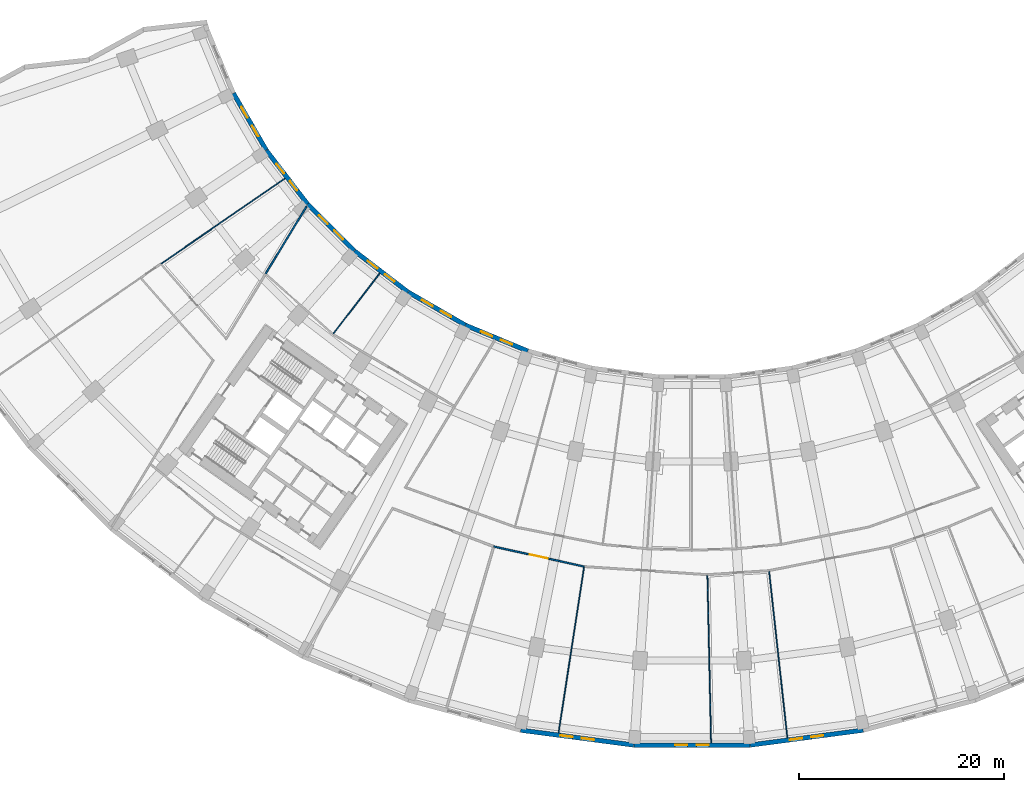
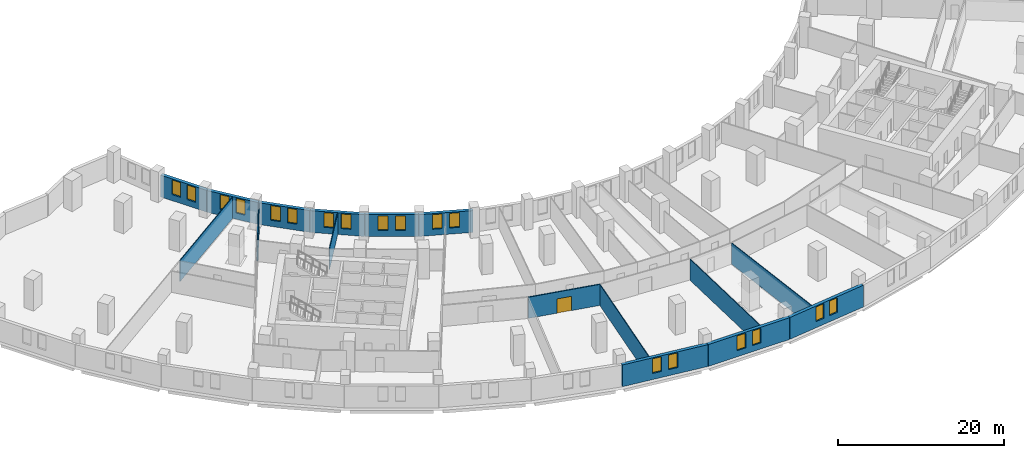
# One storey, part 8 of 19: 18 windows, 16 walls, 1 door, 19 openings.
"""IFC4 building model written with IfcOpenShell, lengths in metres."""

from ifc_helpers import new_model, si_unit, direction, frame, frame_2d, origin, place, context, subcontext, project, spatial, rectangle, extrude, material, layer, layer_set, type_object, element, fill, save


model = new_model("IFC4")

# Units and contexts
model_context = context("Model", 3, precision=1e-05, world=origin(), true_north=direction((0.0, 1.0)))
body_context = subcontext(model_context, "Body", "Model", "MODEL_VIEW")
ifc_project = project(units=[si_unit("LENGTHUNIT", "METRE"), si_unit("AREAUNIT", "SQUARE_METRE"), si_unit("VOLUMEUNIT", "CUBIC_METRE"), si_unit("PLANEANGLEUNIT", "RADIAN"), si_unit("MASSUNIT", "GRAM", prefix="KILO")], contexts=[model_context])

# Site, building, storey
site_placement = place(None, origin())
site = spatial("IfcSite", under=ifc_project, at=site_placement, CompositionType="ELEMENT")
building_placement = place(site_placement, origin())
building = spatial("IfcBuilding", under=site, at=building_placement, Name="Qamariyya Broadcast Tower", CompositionType="ELEMENT")
storey_placement = place(building_placement, frame((0.0, 0.0, 36.0)))
storey = spatial("IfcBuildingStorey", under=building, at=storey_placement, Name="L05", CompositionType="ELEMENT", Elevation=36.0)

# Wall
ifc_material_1 = material(Name="Gypsum board partition")
ifc_layer_1 = layer(ifc_material_1, 0.14990234375)
ifc_layer_set_1 = layer_set([ifc_layer_1], Name="Corridor partition 150 EI 60")
wall_type_1 = type_object("IfcWallType", Name="Corridor partition 150 EI 60", PredefinedType="PARTITIONING", material=ifc_layer_set_1)
wall_1_placement = place(storey_placement, frame((-37.6376953125, -33.18701171875, 0.0), z_axis=(0.0, 0.0, 1.0), x_axis=(-0.519163683086, -0.854674833, 0.0)))
element("IfcWall", 1, at=wall_1_placement, inside=storey, type_object=wall_type_1, Name="Partition L05-013", PredefinedType="PARTITIONING", context=body_context, shape_type="SweptSolid", body=[
    extrude(rectangle(XDim=7.724853515625, YDim=0.14990234375, at=frame_2d((3.8623046875, 0.0))), origin(), (0.0, 0.0, 1.0), 3.10009765625),
])

# Wall, opening, door
wall_2_placement = place(storey_placement, frame((-10.52880859375, -68.394287109375, 0.0), z_axis=(0.0, 0.0, 1.0), x_axis=(-0.976288493125, 0.216473504595, 0.0)))
wall_2 = element("IfcWall", 2, at=wall_2_placement, inside=storey, type_object=wall_type_1, Name="Partition L05-022", PredefinedType="PARTITIONING", context=body_context, shape_type="SweptSolid", body=[
    extrude(rectangle(XDim=9.0517578125, YDim=0.14990234375, at=frame_2d((4.52587890625, 0.0))), origin(), (0.0, 0.0, 1.0), 3.10009765625),
])
opening_1_placement = place(wall_2_placement, frame((3.6259765625, 0.0, 0.0)))
opening_1 = element("IfcOpeningElement", 3, at=opening_1_placement, cuts=wall_2, Name="Opening L05-D02", PredefinedType="OPENING", context=body_context, shape_type="SweptSolid", body=[
    extrude(rectangle(XDim=1.800048828125, YDim=2.10009765625, at=frame_2d((0.89990234375, 1.050048828125))), frame((0.0, 0.0849609375, 0.0), z_axis=(0.0, -1.0, 0.0), x_axis=(1.0, 0.0, 0.0)), (0.0, 0.0, 1.0), 0.169921875),
])
ifc_material_2 = material(Name="Timber fire door leaf", Category="wood")
door_type = type_object("IfcDoorType", Name="Double fire door 1800 x 2100 FD60", OperationType="NOTDEFINED", PredefinedType="DOOR", material=ifc_material_2)
door_placement = place(opening_1_placement, origin())
door = element("IfcDoor", 4, at=door_placement, inside=storey, type_object=door_type, Name="Door L05-D02", OperationType="DOUBLE_DOOR_SINGLE_SWING", OverallHeight=2.10009765625, OverallWidth=1.800048828125, PredefinedType="DOOR", context=body_context, shape_type="SweptSolid", body=[
    extrude(rectangle(XDim=1.800048828125, YDim=2.10009765625, at=frame_2d((0.89990234375, 1.050048828125))), frame((0.0, 0.02490234375, 0.0), z_axis=(0.0, -1.0, 0.0), x_axis=(1.0, 0.0, 0.0)), (0.0, 0.0, 1.0), 0.050048828125),
])
fill(opening_1, door)

# Walls
ifc_layer_2 = layer(ifc_material_1, 0.10009765625)
ifc_layer_set_2 = layer_set([ifc_layer_2], Name="Partition 100")
wall_type_2 = type_object("IfcWallType", Name="Partition 100", PredefinedType="PARTITIONING", material=ifc_layer_set_2)
wall_3_placement = place(storey_placement, frame((-51.8818359375, -38.82421875, 0.0), z_axis=(0.0, 0.0, 1.0), x_axis=(0.823694354942, 0.567034046276, 0.0)))
element("IfcWall", 5, at=wall_3_placement, inside=storey, type_object=wall_type_2, Name="Partition L05-005", PredefinedType="PARTITIONING", context=body_context, shape_type="SweptSolid", body=[
    extrude(rectangle(XDim=14.721923828125, YDim=0.10009765625, at=frame_2d((7.36083984375, 0.0))), origin(), (0.0, 0.0, 1.0), 3.10009765625),
])
wall_4_placement = place(storey_placement, frame((-30.494873046875, -39.741943359375, 0.0), z_axis=(0.0, 0.0, 1.0), x_axis=(-0.60877839598, -0.793340320788, 0.0)))
element("IfcWall", 6, at=wall_4_placement, inside=storey, type_object=wall_type_2, Name="Partition L05-016", PredefinedType="PARTITIONING", context=body_context, shape_type="SweptSolid", body=[
    extrude(rectangle(XDim=7.431640625, YDim=0.10009765625, at=frame_2d((3.7158203125, 0.0))), origin(), (0.0, 0.0, 1.0), 3.10009765625),
])
for number, where, z_axis, x_axis, name in (
    (7, (-13.029541015625, -84.638916015625, 0.0), (0.0, 0.0, 1.0), (0.15214688942, 0.988357892689, 0.0), "Partition L05-025"),
    (8, (1.87060546875, -85.615478515625, 0.0), (0.0, 0.0, 1.0), (-0.021846183574, 0.999761343653, 0.0), "Partition L05-035"),
    (9, (9.320556640625, -85.127197265625, 0.0), (0.0, 0.0, 1.0), (-0.1088427139, 0.99405898398, 0.0), "Partition L05-041"),
):
    element("IfcWall", number, at=place(storey_placement, frame(where, z_axis=z_axis, x_axis=x_axis)), inside=storey, type_object=wall_type_2, Name=name, PredefinedType="PARTITIONING", context=body_context, shape_type="SweptSolid", body=[
        extrude(rectangle(XDim=16.36083984375, YDim=0.10009765625, at=frame_2d((8.180419921875, 0.0))), origin(), (0.0, 0.0, 1.0), 3.10009765625),
    ])

# Wall, openings, windows
ifc_material_3 = material(Name="Precast concrete C40/50 with terracotta facing", Category="masonry")
ifc_layer_3 = layer(ifc_material_3, 0.449951171875)
ifc_layer_set_3 = layer_set([ifc_layer_3], Name="Precast concrete C40/50 wall 450, terracotta faced")
wall_type_3 = type_object("IfcWallType", Name="Precast concrete C40/50 wall 450, terracotta faced", PredefinedType="SOLIDWALL", material=ifc_layer_set_3)
wall_5_placement = place(storey_placement, frame((-41.58251953125, -27.7138671875, 0.0), z_axis=(0.0, 0.0, 1.0), x_axis=(-0.50000447882, 0.866022817921, 0.0)))
wall_5 = element("IfcWall", 10, at=wall_5_placement, inside=storey, type_object=wall_type_3, Name="e-wl-L05-in20", PredefinedType="SOLIDWALL", context=body_context, shape_type="SweptSolid", body=[
    extrude(rectangle(XDim=6.41943359375, YDim=0.449951171875, at=frame_2d((3.209716796875, 0.0))), origin(), (0.0, 0.0, 1.0), 3.199951171875),
])
opening_2_placement = place(wall_5_placement, frame((3.65966796875, 0.0, 0.89990234375)))
opening_2 = element("IfcOpeningElement", 11, at=opening_2_placement, cuts=wall_5, Name="Opening W3", PredefinedType="OPENING", context=body_context, shape_type="SweptSolid", body=[
    extrude(rectangle(XDim=1.199951171875, YDim=2.14990234375, at=frame_2d((0.60009765625, 1.074951171875))), frame((0.0, 0.23486328125, 0.0), z_axis=(0.0, -1.0, 0.0), x_axis=(1.0, 0.0, 0.0)), (0.0, 0.0, 1.0), 0.469970703125),
])
opening_3_placement = place(wall_5_placement, frame((1.5595703125, 0.0, 0.89990234375)))
opening_3 = element("IfcOpeningElement", 12, at=opening_3_placement, cuts=wall_5, Name="Opening W3", PredefinedType="OPENING", context=body_context, shape_type="SweptSolid", body=[
    extrude(rectangle(XDim=1.199951171875, YDim=2.14990234375, at=frame_2d((0.60009765625, 1.074951171875))), frame((0.0, 0.23486328125, 0.0), z_axis=(0.0, -1.0, 0.0), x_axis=(1.0, 0.0, 0.0)), (0.0, 0.0, 1.0), 0.469970703125),
])
ifc_material_4 = material(Name="Clear low-e double glazed unit in aluminium frame", Category="aluminium")
window_type = type_object("IfcWindowType", Name="Podium window 1200 x 2150", PartitioningType="SINGLE_PANEL", PredefinedType="WINDOW", material=ifc_material_4)
window_1_placement = place(opening_2_placement, origin())
window_1 = element("IfcWindow", 13, at=window_1_placement, inside=storey, type_object=window_type, Name="e-w-L05-in02a", OverallHeight=2.14990234375, OverallWidth=1.199951171875, PartitioningType="SINGLE_PANEL", PredefinedType="WINDOW", context=body_context, shape_type="SweptSolid", body=[
    extrude(rectangle(XDim=1.199951171875, YDim=2.14990234375, at=frame_2d((0.60009765625, 1.074951171875))), frame((0.0, 0.030029296875, 0.0), z_axis=(0.0, -1.0, 0.0), x_axis=(1.0, 0.0, 0.0)), (0.0, 0.0, 1.0), 0.06005859375),
])
fill(opening_2, window_1)
window_2_placement = place(opening_3_placement, origin())
window_2 = element("IfcWindow", 14, at=window_2_placement, inside=storey, type_object=window_type, Name="e-w-L05-in02b", OverallHeight=2.14990234375, OverallWidth=1.199951171875, PartitioningType="SINGLE_PANEL", PredefinedType="WINDOW", context=body_context, shape_type="SweptSolid", body=[
    extrude(rectangle(XDim=1.199951171875, YDim=2.14990234375, at=frame_2d((0.60009765625, 1.074951171875))), frame((0.0, 0.030029296875, 0.0), z_axis=(0.0, -1.0, 0.0), x_axis=(1.0, 0.0, 0.0)), (0.0, 0.0, 1.0), 0.06005859375),
])
fill(opening_3, window_2)

wall_6_placement = place(storey_placement, frame((-37.55517578125, -32.974853515625, 0.0), z_axis=(0.0, 0.0, 1.0), x_axis=(-0.608780327927, 0.793338838284, 0.0)))
wall_6 = element("IfcWall", 15, at=wall_6_placement, inside=storey, type_object=wall_type_3, Name="e-wl-L05-in30", PredefinedType="SOLIDWALL", context=body_context, shape_type="SweptSolid", body=[
    extrude(rectangle(XDim=6.596923828125, YDim=0.449951171875, at=frame_2d((3.29833984375, 0.0))), origin(), (0.0, 0.0, 1.0), 3.199951171875),
])
opening_4_placement = place(wall_6_placement, frame((3.74853515625, 0.0, 0.89990234375)))
opening_4 = element("IfcOpeningElement", 16, at=opening_4_placement, cuts=wall_6, Name="Opening W3", PredefinedType="OPENING", context=body_context, shape_type="SweptSolid", body=[
    extrude(rectangle(XDim=1.199951171875, YDim=2.14990234375, at=frame_2d((0.60009765625, 1.074951171875))), frame((0.0, 0.23486328125, 0.0), z_axis=(0.0, -1.0, 0.0), x_axis=(1.0, 0.0, 0.0)), (0.0, 0.0, 1.0), 0.469970703125),
])
opening_5_placement = place(wall_6_placement, frame((1.6484375, 0.0, 0.89990234375)))
opening_5 = element("IfcOpeningElement", 17, at=opening_5_placement, cuts=wall_6, Name="Opening W3", PredefinedType="OPENING", context=body_context, shape_type="SweptSolid", body=[
    extrude(rectangle(XDim=1.199951171875, YDim=2.14990234375, at=frame_2d((0.60009765625, 1.074951171875))), frame((0.0, 0.23486328125, 0.0), z_axis=(0.0, -1.0, 0.0), x_axis=(1.0, 0.0, 0.0)), (0.0, 0.0, 1.0), 0.469970703125),
])
window_3_placement = place(opening_4_placement, origin())
window_3 = element("IfcWindow", 18, at=window_3_placement, inside=storey, type_object=window_type, Name="e-w-L05-in03a", OverallHeight=2.14990234375, OverallWidth=1.199951171875, PartitioningType="SINGLE_PANEL", PredefinedType="WINDOW", context=body_context, shape_type="SweptSolid", body=[
    extrude(rectangle(XDim=1.199951171875, YDim=2.14990234375, at=frame_2d((0.60009765625, 1.074951171875))), frame((0.0, 0.030029296875, 0.0), z_axis=(0.0, -1.0, 0.0), x_axis=(1.0, 0.0, 0.0)), (0.0, 0.0, 1.0), 0.06005859375),
])
fill(opening_4, window_3)
window_4_placement = place(opening_5_placement, origin())
window_4 = element("IfcWindow", 19, at=window_4_placement, inside=storey, type_object=window_type, Name="e-w-L05-in03b", OverallHeight=2.14990234375, OverallWidth=1.199951171875, PartitioningType="SINGLE_PANEL", PredefinedType="WINDOW", context=body_context, shape_type="SweptSolid", body=[
    extrude(rectangle(XDim=1.199951171875, YDim=2.14990234375, at=frame_2d((0.60009765625, 1.074951171875))), frame((0.0, 0.030029296875, 0.0), z_axis=(0.0, -1.0, 0.0), x_axis=(1.0, 0.0, 0.0)), (0.0, 0.0, 1.0), 0.06005859375),
])
fill(opening_5, window_4)

wall_7_placement = place(storey_placement, frame((-32.992919921875, -37.531982421875, 0.0), z_axis=(0.0, 0.0, 1.0), x_axis=(-0.707106781187, 0.707106781187, 0.0)))
wall_7 = element("IfcWall", 20, at=wall_7_placement, inside=storey, type_object=wall_type_3, Name="e-wl-L05-in40", PredefinedType="SOLIDWALL", context=body_context, shape_type="SweptSolid", body=[
    extrude(rectangle(XDim=6.419189453125, YDim=0.449951171875, at=frame_2d((3.20947265625, 0.0))), origin(), (0.0, 0.0, 1.0), 3.199951171875),
])
opening_6_placement = place(wall_7_placement, frame((3.65966796875, 0.0, 0.89990234375)))
opening_6 = element("IfcOpeningElement", 21, at=opening_6_placement, cuts=wall_7, Name="Opening W3", PredefinedType="OPENING", context=body_context, shape_type="SweptSolid", body=[
    extrude(rectangle(XDim=1.199951171875, YDim=2.14990234375, at=frame_2d((0.60009765625, 1.074951171875))), frame((0.0, 0.23486328125, 0.0), z_axis=(0.0, -1.0, 0.0), x_axis=(1.0, 0.0, 0.0)), (0.0, 0.0, 1.0), 0.469970703125),
])
opening_7_placement = place(wall_7_placement, frame((1.5595703125, 0.0, 0.89990234375)))
opening_7 = element("IfcOpeningElement", 22, at=opening_7_placement, cuts=wall_7, Name="Opening W3", PredefinedType="OPENING", context=body_context, shape_type="SweptSolid", body=[
    extrude(rectangle(XDim=1.199951171875, YDim=2.14990234375, at=frame_2d((0.60009765625, 1.074951171875))), frame((0.0, 0.23486328125, 0.0), z_axis=(0.0, -1.0, 0.0), x_axis=(1.0, 0.0, 0.0)), (0.0, 0.0, 1.0), 0.469970703125),
])
window_5_placement = place(opening_6_placement, origin())
window_5 = element("IfcWindow", 23, at=window_5_placement, inside=storey, type_object=window_type, Name="e-w-L05-in04a", OverallHeight=2.14990234375, OverallWidth=1.199951171875, PartitioningType="SINGLE_PANEL", PredefinedType="WINDOW", context=body_context, shape_type="SweptSolid", body=[
    extrude(rectangle(XDim=1.199951171875, YDim=2.14990234375, at=frame_2d((0.60009765625, 1.074951171875))), frame((0.0, 0.030029296875, 0.0), z_axis=(0.0, -1.0, 0.0), x_axis=(1.0, 0.0, 0.0)), (0.0, 0.0, 1.0), 0.06005859375),
])
fill(opening_6, window_5)
window_6_placement = place(opening_7_placement, origin())
window_6 = element("IfcWindow", 24, at=window_6_placement, inside=storey, type_object=window_type, Name="e-w-L05-in04b", OverallHeight=2.14990234375, OverallWidth=1.199951171875, PartitioningType="SINGLE_PANEL", PredefinedType="WINDOW", context=body_context, shape_type="SweptSolid", body=[
    extrude(rectangle(XDim=1.199951171875, YDim=2.14990234375, at=frame_2d((0.60009765625, 1.074951171875))), frame((0.0, 0.030029296875, 0.0), z_axis=(0.0, -1.0, 0.0), x_axis=(1.0, 0.0, 0.0)), (0.0, 0.0, 1.0), 0.06005859375),
])
fill(opening_7, window_6)

wall_8_placement = place(storey_placement, frame((-27.7412109375, -41.5712890625, 0.0), z_axis=(0.0, 0.0, 1.0), x_axis=(-0.793338838284, 0.608780327927, 0.0)))
wall_8 = element("IfcWall", 25, at=wall_8_placement, inside=storey, type_object=wall_type_3, Name="e-wl-L05-in50", PredefinedType="SOLIDWALL", context=body_context, shape_type="SweptSolid", body=[
    extrude(rectangle(XDim=6.596923828125, YDim=0.449951171875, at=frame_2d((3.29833984375, 0.0))), origin(), (0.0, 0.0, 1.0), 3.199951171875),
])
opening_8_placement = place(wall_8_placement, frame((3.74853515625, 0.0, 0.89990234375)))
opening_8 = element("IfcOpeningElement", 26, at=opening_8_placement, cuts=wall_8, Name="Opening W3", PredefinedType="OPENING", context=body_context, shape_type="SweptSolid", body=[
    extrude(rectangle(XDim=1.199951171875, YDim=2.14990234375, at=frame_2d((0.60009765625, 1.074951171875))), frame((0.0, 0.23486328125, 0.0), z_axis=(0.0, -1.0, 0.0), x_axis=(1.0, 0.0, 0.0)), (0.0, 0.0, 1.0), 0.469970703125),
])
opening_9_placement = place(wall_8_placement, frame((1.6484375, 0.0, 0.89990234375)))
opening_9 = element("IfcOpeningElement", 27, at=opening_9_placement, cuts=wall_8, Name="Opening W3", PredefinedType="OPENING", context=body_context, shape_type="SweptSolid", body=[
    extrude(rectangle(XDim=1.199951171875, YDim=2.14990234375, at=frame_2d((0.60009765625, 1.074951171875))), frame((0.0, 0.23486328125, 0.0), z_axis=(0.0, -1.0, 0.0), x_axis=(1.0, 0.0, 0.0)), (0.0, 0.0, 1.0), 0.469970703125),
])
window_7_placement = place(opening_8_placement, origin())
window_7 = element("IfcWindow", 28, at=window_7_placement, inside=storey, type_object=window_type, Name="e-w-L05-in05a", OverallHeight=2.14990234375, OverallWidth=1.199951171875, PartitioningType="SINGLE_PANEL", PredefinedType="WINDOW", context=body_context, shape_type="SweptSolid", body=[
    extrude(rectangle(XDim=1.199951171875, YDim=2.14990234375, at=frame_2d((0.60009765625, 1.074951171875))), frame((0.0, 0.030029296875, 0.0), z_axis=(0.0, -1.0, 0.0), x_axis=(1.0, 0.0, 0.0)), (0.0, 0.0, 1.0), 0.06005859375),
])
fill(opening_8, window_7)
window_8_placement = place(opening_9_placement, origin())
window_8 = element("IfcWindow", 29, at=window_8_placement, inside=storey, type_object=window_type, Name="e-w-L05-in05b", OverallHeight=2.14990234375, OverallWidth=1.199951171875, PartitioningType="SINGLE_PANEL", PredefinedType="WINDOW", context=body_context, shape_type="SweptSolid", body=[
    extrude(rectangle(XDim=1.199951171875, YDim=2.14990234375, at=frame_2d((0.60009765625, 1.074951171875))), frame((0.0, 0.030029296875, 0.0), z_axis=(0.0, -1.0, 0.0), x_axis=(1.0, 0.0, 0.0)), (0.0, 0.0, 1.0), 0.06005859375),
])
fill(opening_9, window_8)

wall_9_placement = place(storey_placement, frame((-22.154541015625, -44.792236328125, 0.0), z_axis=(0.0, 0.0, 1.0), x_axis=(-0.866022817921, 0.50000447882, 0.0)))
wall_9 = element("IfcWall", 30, at=wall_9_placement, inside=storey, type_object=wall_type_3, Name="e-wl-L05-in60", PredefinedType="SOLIDWALL", context=body_context, shape_type="SweptSolid", body=[
    extrude(rectangle(XDim=6.41943359375, YDim=0.449951171875, at=frame_2d((3.209716796875, 0.0))), origin(), (0.0, 0.0, 1.0), 3.199951171875),
])
opening_10_placement = place(wall_9_placement, frame((3.65966796875, 0.0, 0.89990234375)))
opening_10 = element("IfcOpeningElement", 31, at=opening_10_placement, cuts=wall_9, Name="Opening W3", PredefinedType="OPENING", context=body_context, shape_type="SweptSolid", body=[
    extrude(rectangle(XDim=1.199951171875, YDim=2.14990234375, at=frame_2d((0.60009765625, 1.074951171875))), frame((0.0, 0.23486328125, 0.0), z_axis=(0.0, -1.0, 0.0), x_axis=(1.0, 0.0, 0.0)), (0.0, 0.0, 1.0), 0.469970703125),
])
opening_11_placement = place(wall_9_placement, frame((1.5595703125, 0.0, 0.89990234375)))
opening_11 = element("IfcOpeningElement", 32, at=opening_11_placement, cuts=wall_9, Name="Opening W3", PredefinedType="OPENING", context=body_context, shape_type="SweptSolid", body=[
    extrude(rectangle(XDim=1.199951171875, YDim=2.14990234375, at=frame_2d((0.60009765625, 1.074951171875))), frame((0.0, 0.23486328125, 0.0), z_axis=(0.0, -1.0, 0.0), x_axis=(1.0, 0.0, 0.0)), (0.0, 0.0, 1.0), 0.469970703125),
])
window_9_placement = place(opening_10_placement, origin())
window_9 = element("IfcWindow", 33, at=window_9_placement, inside=storey, type_object=window_type, Name="e-w-L05-in06a", OverallHeight=2.14990234375, OverallWidth=1.199951171875, PartitioningType="SINGLE_PANEL", PredefinedType="WINDOW", context=body_context, shape_type="SweptSolid", body=[
    extrude(rectangle(XDim=1.199951171875, YDim=2.14990234375, at=frame_2d((0.60009765625, 1.074951171875))), frame((0.0, 0.030029296875, 0.0), z_axis=(0.0, -1.0, 0.0), x_axis=(1.0, 0.0, 0.0)), (0.0, 0.0, 1.0), 0.06005859375),
])
fill(opening_10, window_9)
window_10_placement = place(opening_11_placement, origin())
window_10 = element("IfcWindow", 34, at=window_10_placement, inside=storey, type_object=window_type, Name="e-w-L05-in06b", OverallHeight=2.14990234375, OverallWidth=1.199951171875, PartitioningType="SINGLE_PANEL", PredefinedType="WINDOW", context=body_context, shape_type="SweptSolid", body=[
    extrude(rectangle(XDim=1.199951171875, YDim=2.14990234375, at=frame_2d((0.60009765625, 1.074951171875))), frame((0.0, 0.030029296875, 0.0), z_axis=(0.0, -1.0, 0.0), x_axis=(1.0, 0.0, 0.0)), (0.0, 0.0, 1.0), 0.06005859375),
])
fill(opening_11, window_10)

wall_10_placement = place(storey_placement, frame((-16.036376953125, -47.334716796875, 0.0), z_axis=(0.0, 0.0, 1.0), x_axis=(-0.923877459804, 0.382688436284, 0.0)))
wall_10 = element("IfcWall", 35, at=wall_10_placement, inside=storey, type_object=wall_type_3, Name="e-wl-L05-in70", PredefinedType="SOLIDWALL", context=body_context, shape_type="SweptSolid", body=[
    extrude(rectangle(XDim=6.59716796875, YDim=0.449951171875, at=frame_2d((3.298583984375, 0.0))), origin(), (0.0, 0.0, 1.0), 3.199951171875),
])
opening_12_placement = place(wall_10_placement, frame((3.74853515625, 0.0, 0.89990234375)))
opening_12 = element("IfcOpeningElement", 36, at=opening_12_placement, cuts=wall_10, Name="Opening W3", PredefinedType="OPENING", context=body_context, shape_type="SweptSolid", body=[
    extrude(rectangle(XDim=1.199951171875, YDim=2.14990234375, at=frame_2d((0.60009765625, 1.074951171875))), frame((0.0, 0.23486328125, 0.0), z_axis=(0.0, -1.0, 0.0), x_axis=(1.0, 0.0, 0.0)), (0.0, 0.0, 1.0), 0.469970703125),
])
opening_13_placement = place(wall_10_placement, frame((1.6484375, 0.0, 0.89990234375)))
opening_13 = element("IfcOpeningElement", 37, at=opening_13_placement, cuts=wall_10, Name="Opening W3", PredefinedType="OPENING", context=body_context, shape_type="SweptSolid", body=[
    extrude(rectangle(XDim=1.199951171875, YDim=2.14990234375, at=frame_2d((0.60009765625, 1.074951171875))), frame((0.0, 0.23486328125, 0.0), z_axis=(0.0, -1.0, 0.0), x_axis=(1.0, 0.0, 0.0)), (0.0, 0.0, 1.0), 0.469970703125),
])
window_11_placement = place(opening_12_placement, origin())
window_11 = element("IfcWindow", 38, at=window_11_placement, inside=storey, type_object=window_type, Name="e-w-L05-in07a", OverallHeight=2.14990234375, OverallWidth=1.199951171875, PartitioningType="SINGLE_PANEL", PredefinedType="WINDOW", context=body_context, shape_type="SweptSolid", body=[
    extrude(rectangle(XDim=1.199951171875, YDim=2.14990234375, at=frame_2d((0.60009765625, 1.074951171875))), frame((0.0, 0.030029296875, 0.0), z_axis=(0.0, -1.0, 0.0), x_axis=(1.0, 0.0, 0.0)), (0.0, 0.0, 1.0), 0.06005859375),
])
fill(opening_12, window_11)
window_12_placement = place(opening_13_placement, origin())
window_12 = element("IfcWindow", 39, at=window_12_placement, inside=storey, type_object=window_type, Name="e-w-L05-in07b", OverallHeight=2.14990234375, OverallWidth=1.199951171875, PartitioningType="SINGLE_PANEL", PredefinedType="WINDOW", context=body_context, shape_type="SweptSolid", body=[
    extrude(rectangle(XDim=1.199951171875, YDim=2.14990234375, at=frame_2d((0.60009765625, 1.074951171875))), frame((0.0, 0.030029296875, 0.0), z_axis=(0.0, -1.0, 0.0), x_axis=(1.0, 0.0, 0.0)), (0.0, 0.0, 1.0), 0.06005859375),
])
fill(opening_13, window_12)

wall_11_placement = place(storey_placement, frame((-5.65625, -85.84033203125, 0.0), z_axis=(0.0, 0.0, 1.0), x_axis=(1.0, 0.0, 0.0)))
wall_11 = element("IfcWall", 40, at=wall_11_placement, inside=storey, type_object=wall_type_3, Name="e-wl-L05-out100", PredefinedType="SOLIDWALL", context=body_context, shape_type="SweptSolid", body=[
    extrude(rectangle(XDim=11.3125, YDim=0.449951171875, at=frame_2d((5.65625, 0.0))), origin(), (0.0, 0.0, 1.0), 3.199951171875),
])
opening_14_placement = place(wall_11_placement, frame((4.00634765625, 0.0, 0.89990234375)))
opening_14 = element("IfcOpeningElement", 41, at=opening_14_placement, cuts=wall_11, Name="Opening W3", PredefinedType="OPENING", context=body_context, shape_type="SweptSolid", body=[
    extrude(rectangle(XDim=1.199951171875, YDim=2.14990234375, at=frame_2d((0.60009765625, 1.074951171875))), frame((0.0, 0.23486328125, 0.0), z_axis=(0.0, -1.0, 0.0), x_axis=(1.0, 0.0, 0.0)), (0.0, 0.0, 1.0), 0.469970703125),
])
opening_15_placement = place(wall_11_placement, frame((6.106201171875, 0.0, 0.89990234375)))
opening_15 = element("IfcOpeningElement", 42, at=opening_15_placement, cuts=wall_11, Name="Opening W3", PredefinedType="OPENING", context=body_context, shape_type="SweptSolid", body=[
    extrude(rectangle(XDim=1.199951171875, YDim=2.14990234375, at=frame_2d((0.60009765625, 1.074951171875))), frame((0.0, 0.23486328125, 0.0), z_axis=(0.0, -1.0, 0.0), x_axis=(1.0, 0.0, 0.0)), (0.0, 0.0, 1.0), 0.469970703125),
])
window_13_placement = place(opening_14_placement, origin())
window_13 = element("IfcWindow", 43, at=window_13_placement, inside=storey, type_object=window_type, Name="e-w-L05-out10a", OverallHeight=2.14990234375, OverallWidth=1.199951171875, PartitioningType="SINGLE_PANEL", PredefinedType="WINDOW", context=body_context, shape_type="SweptSolid", body=[
    extrude(rectangle(XDim=1.199951171875, YDim=2.14990234375, at=frame_2d((0.60009765625, 1.074951171875))), frame((0.0, 0.030029296875, 0.0), z_axis=(0.0, -1.0, 0.0), x_axis=(1.0, 0.0, 0.0)), (0.0, 0.0, 1.0), 0.06005859375),
])
fill(opening_14, window_13)
window_14_placement = place(opening_15_placement, origin())
window_14 = element("IfcWindow", 44, at=window_14_placement, inside=storey, type_object=window_type, Name="e-w-L05-out10b", OverallHeight=2.14990234375, OverallWidth=1.199951171875, PartitioningType="SINGLE_PANEL", PredefinedType="WINDOW", context=body_context, shape_type="SweptSolid", body=[
    extrude(rectangle(XDim=1.199951171875, YDim=2.14990234375, at=frame_2d((0.60009765625, 1.074951171875))), frame((0.0, 0.030029296875, 0.0), z_axis=(0.0, -1.0, 0.0), x_axis=(1.0, 0.0, 0.0)), (0.0, 0.0, 1.0), 0.06005859375),
])
fill(opening_15, window_14)

wall_12_placement = place(storey_placement, frame((5.684814453125, -85.83251953125, 0.0), z_axis=(0.0, 0.0, 1.0), x_axis=(0.991447502826, 0.130506126829, 0.0)))
wall_12 = element("IfcWall", 45, at=wall_12_placement, inside=storey, type_object=wall_type_3, Name="e-wl-L05-out110", PredefinedType="SOLIDWALL", context=body_context, shape_type="SweptSolid", body=[
    extrude(rectangle(XDim=11.134521484375, YDim=0.449951171875, at=frame_2d((5.5673828125, 0.0))), origin(), (0.0, 0.0, 1.0), 3.199951171875),
])
opening_16_placement = place(wall_12_placement, frame((3.917236328125, 0.0, 0.89990234375)))
opening_16 = element("IfcOpeningElement", 46, at=opening_16_placement, cuts=wall_12, Name="Opening W3", PredefinedType="OPENING", context=body_context, shape_type="SweptSolid", body=[
    extrude(rectangle(XDim=1.199951171875, YDim=2.14990234375, at=frame_2d((0.60009765625, 1.074951171875))), frame((0.0, 0.23486328125, 0.0), z_axis=(0.0, -1.0, 0.0), x_axis=(1.0, 0.0, 0.0)), (0.0, 0.0, 1.0), 0.469970703125),
])
opening_17_placement = place(wall_12_placement, frame((6.017333984375, 0.0, 0.89990234375)))
opening_17 = element("IfcOpeningElement", 47, at=opening_17_placement, cuts=wall_12, Name="Opening W3", PredefinedType="OPENING", context=body_context, shape_type="SweptSolid", body=[
    extrude(rectangle(XDim=1.199951171875, YDim=2.14990234375, at=frame_2d((0.60009765625, 1.074951171875))), frame((0.0, 0.23486328125, 0.0), z_axis=(0.0, -1.0, 0.0), x_axis=(1.0, 0.0, 0.0)), (0.0, 0.0, 1.0), 0.469970703125),
])
window_15_placement = place(opening_16_placement, origin())
window_15 = element("IfcWindow", 48, at=window_15_placement, inside=storey, type_object=window_type, Name="e-w-L05-out11a", OverallHeight=2.14990234375, OverallWidth=1.199951171875, PartitioningType="SINGLE_PANEL", PredefinedType="WINDOW", context=body_context, shape_type="SweptSolid", body=[
    extrude(rectangle(XDim=1.199951171875, YDim=2.14990234375, at=frame_2d((0.60009765625, 1.074951171875))), frame((0.0, 0.030029296875, 0.0), z_axis=(0.0, -1.0, 0.0), x_axis=(1.0, 0.0, 0.0)), (0.0, 0.0, 1.0), 0.06005859375),
])
fill(opening_16, window_15)
window_16_placement = place(opening_17_placement, origin())
window_16 = element("IfcWindow", 49, at=window_16_placement, inside=storey, type_object=window_type, Name="e-w-L05-out11b", OverallHeight=2.14990234375, OverallWidth=1.199951171875, PartitioningType="SINGLE_PANEL", PredefinedType="WINDOW", context=body_context, shape_type="SweptSolid", body=[
    extrude(rectangle(XDim=1.199951171875, YDim=2.14990234375, at=frame_2d((0.60009765625, 1.074951171875))), frame((0.0, 0.030029296875, 0.0), z_axis=(0.0, -1.0, 0.0), x_axis=(1.0, 0.0, 0.0)), (0.0, 0.0, 1.0), 0.06005859375),
])
fill(opening_17, window_16)

wall_13_placement = place(storey_placement, frame((-16.72412109375, -84.37939453125, 0.0), z_axis=(0.0, 0.0, 1.0), x_axis=(0.991447502826, -0.130506126829, 0.0)))
wall_13 = element("IfcWall", 50, at=wall_13_placement, inside=storey, type_object=wall_type_3, Name="e-wl-L05-out90", PredefinedType="SOLIDWALL", context=body_context, shape_type="SweptSolid", body=[
    extrude(rectangle(XDim=11.134521484375, YDim=0.449951171875, at=frame_2d((5.5673828125, 0.0))), origin(), (0.0, 0.0, 1.0), 3.199951171875),
])
opening_18_placement = place(wall_13_placement, frame((3.917236328125, 0.0, 0.89990234375)))
opening_18 = element("IfcOpeningElement", 51, at=opening_18_placement, cuts=wall_13, Name="Opening W3", PredefinedType="OPENING", context=body_context, shape_type="SweptSolid", body=[
    extrude(rectangle(XDim=1.199951171875, YDim=2.14990234375, at=frame_2d((0.60009765625, 1.074951171875))), frame((0.0, 0.23486328125, 0.0), z_axis=(0.0, -1.0, 0.0), x_axis=(1.0, 0.0, 0.0)), (0.0, 0.0, 1.0), 0.469970703125),
])
opening_19_placement = place(wall_13_placement, frame((6.017333984375, 0.0, 0.89990234375)))
opening_19 = element("IfcOpeningElement", 52, at=opening_19_placement, cuts=wall_13, Name="Opening W3", PredefinedType="OPENING", context=body_context, shape_type="SweptSolid", body=[
    extrude(rectangle(XDim=1.199951171875, YDim=2.14990234375, at=frame_2d((0.60009765625, 1.074951171875))), frame((0.0, 0.23486328125, 0.0), z_axis=(0.0, -1.0, 0.0), x_axis=(1.0, 0.0, 0.0)), (0.0, 0.0, 1.0), 0.469970703125),
])
window_17_placement = place(opening_18_placement, origin())
window_17 = element("IfcWindow", 53, at=window_17_placement, inside=storey, type_object=window_type, Name="e-w-L05-out09a", OverallHeight=2.14990234375, OverallWidth=1.199951171875, PartitioningType="SINGLE_PANEL", PredefinedType="WINDOW", context=body_context, shape_type="SweptSolid", body=[
    extrude(rectangle(XDim=1.199951171875, YDim=2.14990234375, at=frame_2d((0.60009765625, 1.074951171875))), frame((0.0, 0.030029296875, 0.0), z_axis=(0.0, -1.0, 0.0), x_axis=(1.0, 0.0, 0.0)), (0.0, 0.0, 1.0), 0.06005859375),
])
fill(opening_18, window_17)
window_18_placement = place(opening_19_placement, origin())
window_18 = element("IfcWindow", 54, at=window_18_placement, inside=storey, type_object=window_type, Name="e-w-L05-out09b", OverallHeight=2.14990234375, OverallWidth=1.199951171875, PartitioningType="SINGLE_PANEL", PredefinedType="WINDOW", context=body_context, shape_type="SweptSolid", body=[
    extrude(rectangle(XDim=1.199951171875, YDim=2.14990234375, at=frame_2d((0.60009765625, 1.074951171875))), frame((0.0, 0.030029296875, 0.0), z_axis=(0.0, -1.0, 0.0), x_axis=(1.0, 0.0, 0.0)), (0.0, 0.0, 1.0), 0.06005859375),
])
fill(opening_19, window_18)

save(model, "model.ifc")
